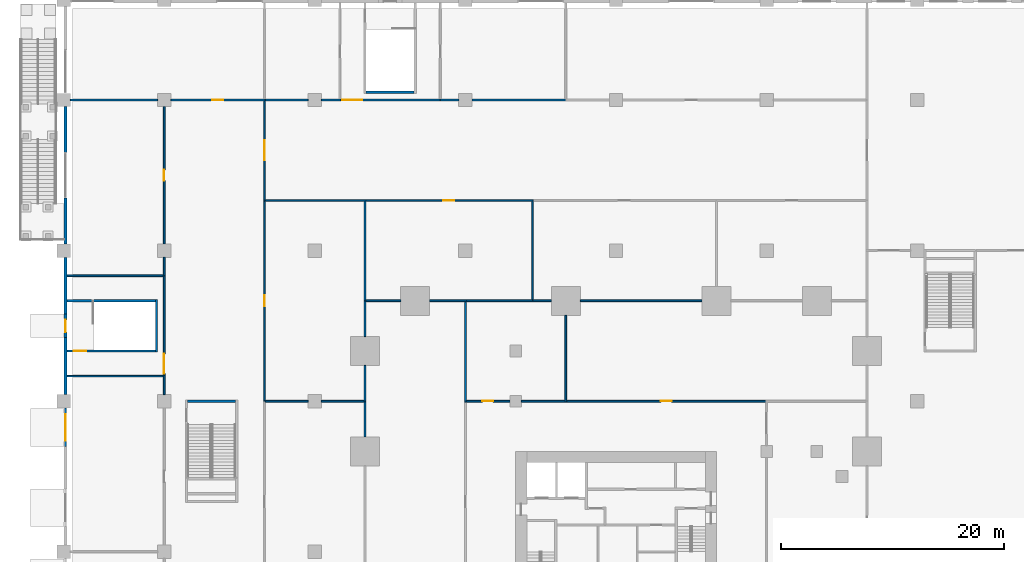
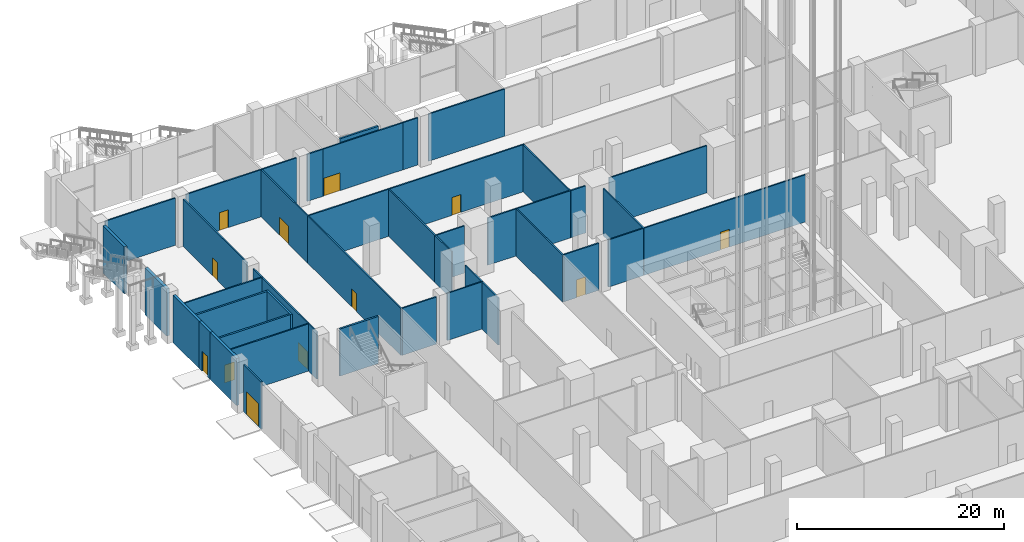
# One storey, part 30 of 68: 45 walls, 12 doors, 12 openings.
"""IFC4 building model written with IfcOpenShell, lengths in metres."""

from ifc_helpers import new_model, si_unit, direction, frame, frame_2d, origin, place, context, subcontext, project, spatial, rectangle, extrude, material, layer, layer_set, type_object, element, fill, save


model = new_model("IFC4")

# Units and contexts
model_context = context("Model", 3, precision=1e-05, world=origin(), true_north=direction((0.0, 1.0)))
body_context = subcontext(model_context, "Body", "Model", "MODEL_VIEW")
ifc_project = project(units=[si_unit("LENGTHUNIT", "METRE"), si_unit("AREAUNIT", "SQUARE_METRE"), si_unit("VOLUMEUNIT", "CUBIC_METRE"), si_unit("PLANEANGLEUNIT", "RADIAN"), si_unit("MASSUNIT", "GRAM", prefix="KILO")], contexts=[model_context])

# Site, building, storey
site_placement = place(None, origin())
site = spatial("IfcSite", under=ifc_project, at=site_placement, CompositionType="ELEMENT")
building_placement = place(site_placement, origin())
building = spatial("IfcBuilding", under=site, at=building_placement, Name="Altepetl Exchange Towers", CompositionType="ELEMENT")
storey_placement = place(building_placement, origin())
storey = spatial("IfcBuildingStorey", under=building, at=storey_placement, Name="L00 Ground concourse", CompositionType="ELEMENT", Elevation=0.0)

# Wall, opening, door
ifc_material_1 = material(Name="Aluminium composite cladding", Category="aluminium")
ifc_layer_1 = layer(ifc_material_1, 0.14990234375)
ifc_layer_set_1 = layer_set([ifc_layer_1], Name="Aluminium composite cladding")
wall_type_1 = type_object("IfcWallType", Name="Infill wall 150 aluminium panel", PredefinedType="SOLIDWALL", material=ifc_layer_set_1)
wall_1_placement = place(storey_placement, frame((0.14990234375, 62.39990234375, 0.0), z_axis=(0.0, 0.0, 1.0), x_axis=(0.0, -1.0, 0.0)))
wall_1 = element("IfcWall", 1, at=wall_1_placement, inside=storey, type_object=wall_type_1, Name="Door bay wall", PredefinedType="SOLIDWALL", context=body_context, shape_type="SweptSolid", body=[
    extrude(rectangle(XDim=3.449951171875, YDim=0.14990234375, at=frame_2d((1.72509765625, 0.0))), origin(), (0.0, 0.0, 1.0), 5.550048828125),
])
opening_1_placement = place(wall_1_placement, frame((0.550048828125, 0.0, 0.0)))
opening_1 = element("IfcOpeningElement", 2, at=opening_1_placement, cuts=wall_1, Name="Opening L00.E27", PredefinedType="OPENING", context=body_context, shape_type="SweptSolid", body=[
    extrude(rectangle(XDim=2.39990234375, YDim=2.699951171875, at=frame_2d((1.199951171875, 1.35009765625))), frame((0.0, 0.0849609375, 0.0), z_axis=(0.0, -1.0, 0.0), x_axis=(1.0, 0.0, 0.0)), (0.0, 0.0, 1.0), 0.169921875),
])
ifc_material_2 = material(Name="Aluminium 6063-T6 and glass", Category="aluminium")
door_type_1 = type_object("IfcDoorType", Name="Entrance door pair 2400x2700 pedestrian", OperationType="DOUBLE_DOOR_DOUBLE_SWING", PredefinedType="NOTDEFINED", material=ifc_material_2)
door_1_placement = place(opening_1_placement, frame((2.39990234375, 0.0, 0.0), x_axis=(-1.0, 0.0, 0.0)))
door_1 = element("IfcDoor", 3, at=door_1_placement, inside=storey, type_object=door_type_1, Name="Entrance door", OperationType="DOUBLE_DOOR_DOUBLE_SWING", OverallHeight=2.699951171875, OverallWidth=2.39990234375, PredefinedType="NOTDEFINED", context=body_context, shape_type="SweptSolid", body=[
    extrude(rectangle(XDim=2.39990234375, YDim=2.699951171875, at=frame_2d((1.199951171875, 1.35009765625))), frame((0.0, 0.02490234375, 0.0), z_axis=(0.0, -1.0, 0.0), x_axis=(1.0, 0.0, 0.0)), (0.0, 0.0, 1.0), 0.050048828125),
])
fill(opening_1, door_1)

ifc_material_3 = material(Name="Gypsum board on steel studs", Category="steel")
ifc_layer_2 = layer(ifc_material_3, 0.14990234375)
ifc_layer_set_2 = layer_set([ifc_layer_2], Name="Gypsum board on steel studs")
wall_type_2 = type_object("IfcWallType", Name="Podium partition 150", PredefinedType="PARTITIONING", material=ifc_layer_set_2)
wall_2_placement = place(storey_placement, frame((18.0, 80.925048828125, 0.0), z_axis=(0.0, 0.0, 1.0), x_axis=(0.0, 1.0, 0.0)))
wall_2 = element("IfcWall", 4, at=wall_2_placement, inside=storey, type_object=wall_type_2, Name="wall:P:L00:P067", PredefinedType="PARTITIONING", context=body_context, shape_type="SweptSolid", body=[
    extrude(rectangle(XDim=9.14990234375, YDim=0.14990234375, at=frame_2d((4.574951171875, 0.0))), origin(), (0.0, 0.0, 1.0), 5.550048828125),
])
opening_2_placement = place(wall_2_placement, frame((3.675048828125, 0.0, 0.0)))
opening_2 = element("IfcOpeningElement", 5, at=opening_2_placement, cuts=wall_2, Name="Opening L00.P078", PredefinedType="OPENING", context=body_context, shape_type="SweptSolid", body=[
    extrude(rectangle(XDim=1.800048828125, YDim=2.10009765625, at=frame_2d((0.89990234375, 1.050048828125))), frame((0.0, 0.0849609375, 0.0), z_axis=(0.0, -1.0, 0.0), x_axis=(1.0, 0.0, 0.0)), (0.0, 0.0, 1.0), 0.169921875),
])
ifc_material_4 = material(Name="Glazed aluminium and steel", Category="steel")
door_type_2 = type_object("IfcDoorType", Name="Podium fire door 1800 x 2100 double leaf", OperationType="DOUBLE_DOOR_SINGLE_SWING", PredefinedType="DOOR", material=ifc_material_4)
door_2_placement = place(opening_2_placement, frame((1.800048828125, 0.0, 0.0), x_axis=(-1.0, 0.0, 0.0)))
door_2 = element("IfcDoor", 6, at=door_2_placement, inside=storey, type_object=door_type_2, Name="door:P:L00:078", OperationType="DOUBLE_DOOR_SINGLE_SWING", OverallHeight=2.10009765625, OverallWidth=1.800048828125, PredefinedType="DOOR", context=body_context, shape_type="SweptSolid", body=[
    extrude(rectangle(XDim=1.800048828125, YDim=2.10009765625, at=frame_2d((0.89990234375, 1.050048828125))), frame((0.0, 0.02490234375, 0.0), z_axis=(0.0, -1.0, 0.0), x_axis=(1.0, 0.0, 0.0)), (0.0, 0.0, 1.0), 0.050048828125),
])
fill(opening_2, door_2)

# Wall
wall_3_placement = place(storey_placement, frame((9.0, 63.594970703125, 0.0), z_axis=(0.0, 0.0, 1.0), x_axis=(0.0, 1.0, 0.0)))
element("IfcWall", 7, at=wall_3_placement, inside=storey, type_object=wall_type_2, Name="wall:P:L00:P075", PredefinedType="PARTITIONING", context=body_context, shape_type="SweptSolid", body=[
    extrude(rectangle(XDim=1.72998046875, YDim=0.14990234375, at=frame_2d((0.864990234375, 0.0))), origin(), (0.0, 0.0, 1.0), 5.550048828125),
])

# Wall, opening, door
wall_4_placement = place(storey_placement, frame((9.0, 65.25, 0.0), z_axis=(0.0, 0.0, 1.0), x_axis=(0.0, 1.0, 0.0)))
wall_4 = element("IfcWall", 8, at=wall_4_placement, inside=storey, type_object=wall_type_2, Name="wall:P:L00:P076", PredefinedType="PARTITIONING", context=body_context, shape_type="SweptSolid", body=[
    extrude(rectangle(XDim=9.074951171875, YDim=0.14990234375, at=frame_2d((4.53759765625, 0.0))), origin(), (0.0, 0.0, 1.0), 5.550048828125),
])
opening_3_placement = place(wall_4_placement, frame((0.199951171875, 0.0, 0.0)))
opening_3 = element("IfcOpeningElement", 9, at=opening_3_placement, cuts=wall_4, Name="Opening L00.P081", PredefinedType="OPENING", context=body_context, shape_type="SweptSolid", body=[
    extrude(rectangle(XDim=1.800048828125, YDim=2.10009765625, at=frame_2d((0.89990234375, 1.050048828125))), frame((0.0, 0.0849609375, 0.0), z_axis=(0.0, -1.0, 0.0), x_axis=(1.0, 0.0, 0.0)), (0.0, 0.0, 1.0), 0.169921875),
])
door_3_placement = place(opening_3_placement, origin())
door_3 = element("IfcDoor", 10, at=door_3_placement, inside=storey, type_object=door_type_2, Name="door:P:L00:081", OperationType="DOUBLE_DOOR_SINGLE_SWING", OverallHeight=2.10009765625, OverallWidth=1.800048828125, PredefinedType="DOOR", context=body_context, shape_type="SweptSolid", body=[
    extrude(rectangle(XDim=1.800048828125, YDim=2.10009765625, at=frame_2d((0.89990234375, 1.050048828125))), frame((0.0, 0.02490234375, 0.0), z_axis=(0.0, -1.0, 0.0), x_axis=(1.0, 0.0, 0.0)), (0.0, 0.0, 1.0), 0.050048828125),
])
fill(opening_3, door_3)

# Wall
wall_5_placement = place(storey_placement, frame((9.0, 74.25, 0.0), z_axis=(0.0, 0.0, 1.0), x_axis=(0.0, 1.0, 0.0)))
element("IfcWall", 11, at=wall_5_placement, inside=storey, type_object=wall_type_2, Name="wall:P:L00:P077", PredefinedType="PARTITIONING", context=body_context, shape_type="SweptSolid", body=[
    extrude(rectangle(XDim=1.655029296875, YDim=0.14990234375, at=frame_2d((0.82763671875, 0.0))), origin(), (0.0, 0.0, 1.0), 5.550048828125),
])

# Wall, opening, door
wall_6_placement = place(storey_placement, frame((9.0, 77.094970703125, 0.0), z_axis=(0.0, 0.0, 1.0), x_axis=(0.0, 1.0, 0.0)))
wall_6 = element("IfcWall", 12, at=wall_6_placement, inside=storey, type_object=wall_type_2, Name="wall:P:L00:P078", PredefinedType="PARTITIONING", context=body_context, shape_type="SweptSolid", body=[
    extrude(rectangle(XDim=12.31005859375, YDim=0.14990234375, at=frame_2d((6.155029296875, 0.0))), origin(), (0.0, 0.0, 1.0), 5.550048828125),
])
opening_4_placement = place(wall_6_placement, frame((5.64990234375, 0.0, 0.0)))
opening_4 = element("IfcOpeningElement", 13, at=opening_4_placement, cuts=wall_6, Name="Opening L00.P009", PredefinedType="OPENING", context=body_context, shape_type="SweptSolid", body=[
    extrude(rectangle(XDim=1.0, YDim=2.10009765625, at=frame_2d((0.5, 1.050048828125))), frame((0.0, 0.0849609375, 0.0), z_axis=(0.0, -1.0, 0.0), x_axis=(1.0, 0.0, 0.0)), (0.0, 0.0, 1.0), 0.169921875),
])
ifc_material_5 = material(Name="Steel and timber fire door", Category="steel")
door_type_3 = type_object("IfcDoorType", Name="Podium fire door 1000 x 2100 single leaf", OperationType="SINGLE_SWING_LEFT", PredefinedType="DOOR", material=ifc_material_5)
door_4_placement = place(opening_4_placement, origin())
door_4 = element("IfcDoor", 14, at=door_4_placement, inside=storey, type_object=door_type_3, Name="door:P:L00:009", OperationType="SINGLE_SWING_RIGHT", OverallHeight=2.10009765625, OverallWidth=1.0, PredefinedType="DOOR", context=body_context, shape_type="SweptSolid", body=[
    extrude(rectangle(XDim=1.0, YDim=2.10009765625, at=frame_2d((0.5, 1.050048828125))), frame((0.0, 0.02490234375, 0.0), z_axis=(0.0, -1.0, 0.0), x_axis=(1.0, 0.0, 0.0)), (0.0, 0.0, 1.0), 0.050048828125),
])
fill(opening_4, door_4)

wall_7_placement = place(storey_placement, frame((9.594970703125, 90.0, 0.0)))
wall_7 = element("IfcWall", 15, at=wall_7_placement, inside=storey, type_object=wall_type_2, Name="wall:P:L00:P079", PredefinedType="PARTITIONING", context=body_context, shape_type="SweptSolid", body=[
    extrude(rectangle(XDim=8.47998046875, YDim=0.14990234375, at=frame_2d((4.239990234375, 0.0))), origin(), (0.0, 0.0, 1.0), 5.550048828125),
])
opening_5_placement = place(wall_7_placement, frame((3.699951171875, 0.0, 0.0)))
opening_5 = element("IfcOpeningElement", 16, at=opening_5_placement, cuts=wall_7, Name="Opening L00.P010", PredefinedType="OPENING", context=body_context, shape_type="SweptSolid", body=[
    extrude(rectangle(XDim=1.0, YDim=2.10009765625, at=frame_2d((0.5, 1.050048828125))), frame((0.0, 0.0849609375, 0.0), z_axis=(0.0, -1.0, 0.0), x_axis=(1.0, 0.0, 0.0)), (0.0, 0.0, 1.0), 0.169921875),
])
door_5_placement = place(opening_5_placement, origin())
door_5 = element("IfcDoor", 17, at=door_5_placement, inside=storey, type_object=door_type_3, Name="door:P:L00:010", OperationType="SINGLE_SWING_RIGHT", OverallHeight=2.10009765625, OverallWidth=1.0, PredefinedType="DOOR", context=body_context, shape_type="SweptSolid", body=[
    extrude(rectangle(XDim=1.0, YDim=2.10009765625, at=frame_2d((0.5, 1.050048828125))), frame((0.0, 0.02490234375, 0.0), z_axis=(0.0, -1.0, 0.0), x_axis=(1.0, 0.0, 0.0)), (0.0, 0.0, 1.0), 0.050048828125),
])
fill(opening_5, door_5)

wall_8_placement = place(storey_placement, frame((18.0, 63.0, 0.0), z_axis=(0.0, 0.0, 1.0), x_axis=(0.0, 1.0, 0.0)))
wall_8 = element("IfcWall", 18, at=wall_8_placement, inside=storey, type_object=wall_type_2, Name="wall:P:L00:P083", PredefinedType="PARTITIONING", context=body_context, shape_type="SweptSolid", body=[
    extrude(rectangle(XDim=18.0, YDim=0.14990234375, at=frame_2d((9.0, 0.0))), origin(), (0.0, 0.0, 1.0), 5.550048828125),
])
opening_6_placement = place(wall_8_placement, frame((8.5, 0.0, 0.0)))
opening_6 = element("IfcOpeningElement", 19, at=opening_6_placement, cuts=wall_8, Name="Opening L00.P016", PredefinedType="OPENING", context=body_context, shape_type="SweptSolid", body=[
    extrude(rectangle(XDim=1.0, YDim=2.10009765625, at=frame_2d((0.5, 1.050048828125))), frame((0.0, 0.0849609375, 0.0), z_axis=(0.0, -1.0, 0.0), x_axis=(1.0, 0.0, 0.0)), (0.0, 0.0, 1.0), 0.169921875),
])
door_6_placement = place(opening_6_placement, frame((1.0, 0.0, 0.0), x_axis=(-1.0, 0.0, 0.0)))
door_6 = element("IfcDoor", 20, at=door_6_placement, inside=storey, type_object=door_type_3, Name="door:P:L00:016", OperationType="SINGLE_SWING_LEFT", OverallHeight=2.10009765625, OverallWidth=1.0, PredefinedType="DOOR", context=body_context, shape_type="SweptSolid", body=[
    extrude(rectangle(XDim=1.0, YDim=2.10009765625, at=frame_2d((0.5, 1.050048828125))), frame((0.0, 0.02490234375, 0.0), z_axis=(0.0, -1.0, 0.0), x_axis=(1.0, 0.0, 0.0)), (0.0, 0.0, 1.0), 0.050048828125),
])
fill(opening_6, door_6)

# Walls
wall_9_placement = place(storey_placement, frame((18.074951171875, 90.0, 0.0)))
element("IfcWall", 21, at=wall_9_placement, inside=storey, type_object=wall_type_2, Name="wall:P:L00:P088", PredefinedType="PARTITIONING", context=body_context, shape_type="SweptSolid", body=[
    extrude(rectangle(XDim=3.830078125, YDim=0.14990234375, at=frame_2d((1.9150390625, 0.0))), origin(), (0.0, 0.0, 1.0), 5.550048828125),
])
wall_10_placement = place(storey_placement, frame((23.094970703125, 90.0, 0.0)))
element("IfcWall", 22, at=wall_10_placement, inside=storey, type_object=wall_type_2, Name="wall:P:L00:P089", PredefinedType="PARTITIONING", context=body_context, shape_type="SweptSolid", body=[
    extrude(rectangle(XDim=1.72998046875, YDim=0.14990234375, at=frame_2d((0.864990234375, 0.0))), origin(), (0.0, 0.0, 1.0), 5.550048828125),
])

# Wall, opening, door
wall_11_placement = place(storey_placement, frame((24.75, 90.0, 0.0)))
wall_11 = element("IfcWall", 23, at=wall_11_placement, inside=storey, type_object=wall_type_2, Name="wall:P:L00:P090", PredefinedType="PARTITIONING", context=body_context, shape_type="SweptSolid", body=[
    extrude(rectangle(XDim=9.074951171875, YDim=0.14990234375, at=frame_2d((4.53759765625, 0.0))), origin(), (0.0, 0.0, 1.0), 5.550048828125),
])
opening_7_placement = place(wall_11_placement, frame((0.199951171875, 0.0, 0.0)))
opening_7 = element("IfcOpeningElement", 24, at=opening_7_placement, cuts=wall_11, Name="Opening L00.P083", PredefinedType="OPENING", context=body_context, shape_type="SweptSolid", body=[
    extrude(rectangle(XDim=1.800048828125, YDim=2.10009765625, at=frame_2d((0.89990234375, 1.050048828125))), frame((0.0, 0.0849609375, 0.0), z_axis=(0.0, -1.0, 0.0), x_axis=(1.0, 0.0, 0.0)), (0.0, 0.0, 1.0), 0.169921875),
])
door_7_placement = place(opening_7_placement, origin())
door_7 = element("IfcDoor", 25, at=door_7_placement, inside=storey, type_object=door_type_2, Name="door:P:L00:083", OperationType="DOUBLE_DOOR_SINGLE_SWING", OverallHeight=2.10009765625, OverallWidth=1.800048828125, PredefinedType="DOOR", context=body_context, shape_type="SweptSolid", body=[
    extrude(rectangle(XDim=1.800048828125, YDim=2.10009765625, at=frame_2d((0.89990234375, 1.050048828125))), frame((0.0, 0.02490234375, 0.0), z_axis=(0.0, -1.0, 0.0), x_axis=(1.0, 0.0, 0.0)), (0.0, 0.0, 1.0), 0.050048828125),
])
fill(opening_7, door_7)

# Walls
wall_12_placement = place(storey_placement, frame((33.75, 90.0, 0.0)))
element("IfcWall", 26, at=wall_12_placement, inside=storey, type_object=wall_type_2, Name="wall:P:L00:P091", PredefinedType="PARTITIONING", context=body_context, shape_type="SweptSolid", body=[
    extrude(rectangle(XDim=1.655029296875, YDim=0.14990234375, at=frame_2d((0.82763671875, 0.0))), origin(), (0.0, 0.0, 1.0), 5.550048828125),
])
wall_13_placement = place(storey_placement, frame((36.594970703125, 90.0, 0.0)))
element("IfcWall", 27, at=wall_13_placement, inside=storey, type_object=wall_type_2, Name="wall:P:L00:P092", PredefinedType="PARTITIONING", context=body_context, shape_type="SweptSolid", body=[
    extrude(rectangle(XDim=8.47998046875, YDim=0.14990234375, at=frame_2d((4.239990234375, 0.0))), origin(), (0.0, 0.0, 1.0), 5.550048828125),
])
wall_14_placement = place(storey_placement, frame((18.074951171875, 81.0, 0.0)))
element("IfcWall", 28, at=wall_14_placement, inside=storey, type_object=wall_type_2, Name="wall:P:L00:P096", PredefinedType="PARTITIONING", context=body_context, shape_type="SweptSolid", body=[
    extrude(rectangle(XDim=9.0, YDim=0.14990234375, at=frame_2d((4.5, 0.0))), origin(), (0.0, 0.0, 1.0), 5.550048828125),
])

# Wall, opening, door
wall_15_placement = place(storey_placement, frame((27.0, 81.0, 0.0)))
wall_15 = element("IfcWall", 29, at=wall_15_placement, inside=storey, type_object=wall_type_2, Name="wall:P:L00:P097", PredefinedType="PARTITIONING", context=body_context, shape_type="SweptSolid", body=[
    extrude(rectangle(XDim=15.074951171875, YDim=0.14990234375, at=frame_2d((7.53759765625, 0.0))), origin(), (0.0, 0.0, 1.0), 5.550048828125),
])
opening_8_placement = place(wall_15_placement, frame((7.0, 0.0, 0.0)))
opening_8 = element("IfcOpeningElement", 30, at=opening_8_placement, cuts=wall_15, Name="Opening L00.P021", PredefinedType="OPENING", context=body_context, shape_type="SweptSolid", body=[
    extrude(rectangle(XDim=1.0, YDim=2.10009765625, at=frame_2d((0.5, 1.050048828125))), frame((0.0, 0.0849609375, 0.0), z_axis=(0.0, -1.0, 0.0), x_axis=(1.0, 0.0, 0.0)), (0.0, 0.0, 1.0), 0.169921875),
])
door_8_placement = place(opening_8_placement, frame((1.0, 0.0, 0.0), x_axis=(-1.0, 0.0, 0.0)))
door_8 = element("IfcDoor", 31, at=door_8_placement, inside=storey, type_object=door_type_3, Name="door:P:L00:021", OperationType="SINGLE_SWING_LEFT", OverallHeight=2.10009765625, OverallWidth=1.0, PredefinedType="DOOR", context=body_context, shape_type="SweptSolid", body=[
    extrude(rectangle(XDim=1.0, YDim=2.10009765625, at=frame_2d((0.5, 1.050048828125))), frame((0.0, 0.02490234375, 0.0), z_axis=(0.0, -1.0, 0.0), x_axis=(1.0, 0.0, 0.0)), (0.0, 0.0, 1.0), 0.050048828125),
])
fill(opening_8, door_8)

# Walls
for number, where, name in (
    (32, (0.300048828125, 65.25, 0.0), "wall:P:L00:P107"),
    (33, (0.300048828125, 74.25, 0.0), "wall:P:L00:P108"),
):
    element("IfcWall", number, at=place(storey_placement, frame(where)), inside=storey, type_object=wall_type_2, Name=name, PredefinedType="PARTITIONING", context=body_context, shape_type="SweptSolid", body=[
        extrude(rectangle(XDim=8.625, YDim=0.14990234375, at=frame_2d((4.3125, 0.0))), origin(), (0.0, 0.0, 1.0), 5.550048828125),
    ])
wall_16_placement = place(storey_placement, frame((0.594970703125, 90.0, 0.0)))
element("IfcWall", 34, at=wall_16_placement, inside=storey, type_object=wall_type_2, Name="wall:P:L00:P112", PredefinedType="PARTITIONING", context=body_context, shape_type="SweptSolid", body=[
    extrude(rectangle(XDim=7.81005859375, YDim=0.14990234375, at=frame_2d((3.905029296875, 0.0))), origin(), (0.0, 0.0, 1.0), 5.550048828125),
])
wall_17_placement = place(storey_placement, frame((18.074951171875, 63.0, 0.0)))
element("IfcWall", 35, at=wall_17_placement, inside=storey, type_object=wall_type_2, Name="wall:P:L00:P129", PredefinedType="PARTITIONING", context=body_context, shape_type="SweptSolid", body=[
    extrude(rectangle(XDim=3.830078125, YDim=0.14990234375, at=frame_2d((1.9150390625, 0.0))), origin(), (0.0, 0.0, 1.0), 5.550048828125),
])
wall_18_placement = place(storey_placement, frame((23.094970703125, 63.0, 0.0)))
element("IfcWall", 36, at=wall_18_placement, inside=storey, type_object=wall_type_2, Name="wall:P:L00:P130", PredefinedType="PARTITIONING", context=body_context, shape_type="SweptSolid", body=[
    extrude(rectangle(XDim=3.97998046875, YDim=0.14990234375, at=frame_2d((1.989990234375, 0.0))), origin(), (0.0, 0.0, 1.0), 5.550048828125),
])
wall_19_placement = place(storey_placement, frame((27.0, 59.794921875, 0.0), z_axis=(0.0, 0.0, 1.0), x_axis=(0.0, 1.0, 0.0)))
element("IfcWall", 37, at=wall_19_placement, inside=storey, type_object=wall_type_2, Name="wall:P:L00:P132", PredefinedType="PARTITIONING", context=body_context, shape_type="SweptSolid", body=[
    extrude(rectangle(XDim=3.130126953125, YDim=0.14990234375, at=frame_2d((1.56494140625, 0.0))), origin(), (0.0, 0.0, 1.0), 5.550048828125),
])
wall_20_placement = place(storey_placement, frame((27.0, 71.925048828125, 0.0), z_axis=(0.0, 0.0, 1.0), x_axis=(0.0, 1.0, 0.0)))
element("IfcWall", 38, at=wall_20_placement, inside=storey, type_object=wall_type_2, Name="wall:P:L00:P133", PredefinedType="PARTITIONING", context=body_context, shape_type="SweptSolid", body=[
    extrude(rectangle(XDim=9.0, YDim=0.14990234375, at=frame_2d((4.5, 0.0))), origin(), (0.0, 0.0, 1.0), 5.550048828125),
])
for number, where, z_axis, x_axis, name in (
    (39, (27.0, 63.0, 0.0), (0.0, 0.0, 1.0), (0.0, 1.0, 0.0), "wall:P:L00:P134"),
    (40, (27.0, 68.794921875, 0.0), (0.0, 0.0, 1.0), (0.0, 1.0, 0.0), "wall:P:L00:P135"),
):
    element("IfcWall", number, at=place(storey_placement, frame(where, z_axis=z_axis, x_axis=x_axis)), inside=storey, type_object=wall_type_2, Name=name, PredefinedType="PARTITIONING", context=body_context, shape_type="SweptSolid", body=[
        extrude(rectangle(XDim=3.205078125, YDim=0.14990234375, at=frame_2d((1.6025390625, 0.0))), origin(), (0.0, 0.0, 1.0), 5.550048828125),
    ])
wall_21_placement = place(storey_placement, frame((42.0, 71.925048828125, 0.0), z_axis=(0.0, 0.0, 1.0), x_axis=(0.0, 1.0, 0.0)))
element("IfcWall", 41, at=wall_21_placement, inside=storey, type_object=wall_type_2, Name="wall:P:L00:P154", PredefinedType="PARTITIONING", context=body_context, shape_type="SweptSolid", body=[
    extrude(rectangle(XDim=9.0, YDim=0.14990234375, at=frame_2d((4.5, 0.0))), origin(), (0.0, 0.0, 1.0), 5.550048828125),
])
wall_22_placement = place(storey_placement, frame((27.074951171875, 72.0, 0.0)))
element("IfcWall", 42, at=wall_22_placement, inside=storey, type_object=wall_type_2, Name="wall:P:L00:P155", PredefinedType="PARTITIONING", context=body_context, shape_type="SweptSolid", body=[
    extrude(rectangle(XDim=3.130126953125, YDim=0.14990234375, at=frame_2d((1.56494140625, 0.0))), origin(), (0.0, 0.0, 1.0), 5.550048828125),
])
wall_23_placement = place(storey_placement, frame((32.794921875, 72.0, 0.0)))
element("IfcWall", 43, at=wall_23_placement, inside=storey, type_object=wall_type_2, Name="wall:P:L00:P156", PredefinedType="PARTITIONING", context=body_context, shape_type="SweptSolid", body=[
    extrude(rectangle(XDim=3.280029296875, YDim=0.14990234375, at=frame_2d((1.64013671875, 0.0))), origin(), (0.0, 0.0, 1.0), 5.550048828125),
])
wall_24_placement = place(storey_placement, frame((36.0, 72.0, 0.0)))
element("IfcWall", 44, at=wall_24_placement, inside=storey, type_object=wall_type_2, Name="wall:P:L00:P157", PredefinedType="PARTITIONING", context=body_context, shape_type="SweptSolid", body=[
    extrude(rectangle(XDim=6.0, YDim=0.14990234375, at=frame_2d((3.0, 0.0))), origin(), (0.0, 0.0, 1.0), 5.550048828125),
])
wall_25_placement = place(storey_placement, frame((42.074951171875, 72.0, 0.0)))
element("IfcWall", 45, at=wall_25_placement, inside=storey, type_object=wall_type_2, Name="wall:P:L00:P159", PredefinedType="PARTITIONING", context=body_context, shape_type="SweptSolid", body=[
    extrude(rectangle(XDim=1.630126953125, YDim=0.14990234375, at=frame_2d((0.81494140625, 0.0))), origin(), (0.0, 0.0, 1.0), 5.550048828125),
])
wall_26_placement = place(storey_placement, frame((46.294921875, 72.0, 0.0)))
element("IfcWall", 46, at=wall_26_placement, inside=storey, type_object=wall_type_2, Name="wall:P:L00:P160", PredefinedType="PARTITIONING", context=body_context, shape_type="SweptSolid", body=[
    extrude(rectangle(XDim=10.91015625, YDim=0.14990234375, at=frame_2d((5.455078125, 0.0))), origin(), (0.0, 0.0, 1.0), 5.550048828125),
])
wall_27_placement = place(storey_placement, frame((36.0, 62.925048828125, 0.0), z_axis=(0.0, 0.0, 1.0), x_axis=(0.0, 1.0, 0.0)))
element("IfcWall", 47, at=wall_27_placement, inside=storey, type_object=wall_type_2, Name="wall:P:L00:P165", PredefinedType="PARTITIONING", context=body_context, shape_type="SweptSolid", body=[
    extrude(rectangle(XDim=9.0, YDim=0.14990234375, at=frame_2d((4.5, 0.0))), origin(), (0.0, 0.0, 1.0), 5.550048828125),
])
wall_28_placement = place(storey_placement, frame((45.0, 62.925048828125, 0.0), z_axis=(0.0, 0.0, 1.0), x_axis=(0.0, 1.0, 0.0)))
element("IfcWall", 48, at=wall_28_placement, inside=storey, type_object=wall_type_2, Name="wall:P:L00:P172", PredefinedType="PARTITIONING", context=body_context, shape_type="SweptSolid", body=[
    extrude(rectangle(XDim=7.780029296875, YDim=0.14990234375, at=frame_2d((3.89013671875, 0.0))), origin(), (0.0, 0.0, 1.0), 5.550048828125),
])

# Wall, opening, door
wall_29_placement = place(storey_placement, frame((36.074951171875, 63.0, 0.0)))
wall_29 = element("IfcWall", 49, at=wall_29_placement, inside=storey, type_object=wall_type_2, Name="wall:P:L00:P173", PredefinedType="PARTITIONING", context=body_context, shape_type="SweptSolid", body=[
    extrude(rectangle(XDim=3.905029296875, YDim=0.14990234375, at=frame_2d((1.95263671875, 0.0))), origin(), (0.0, 0.0, 1.0), 5.550048828125),
])
opening_9_placement = place(wall_29_placement, frame((1.425048828125, 0.0, 0.0)))
opening_9 = element("IfcOpeningElement", 50, at=opening_9_placement, cuts=wall_29, Name="Opening L00.P028", PredefinedType="OPENING", context=body_context, shape_type="SweptSolid", body=[
    extrude(rectangle(XDim=1.0, YDim=2.10009765625, at=frame_2d((0.5, 1.050048828125))), frame((0.0, 0.0849609375, 0.0), z_axis=(0.0, -1.0, 0.0), x_axis=(1.0, 0.0, 0.0)), (0.0, 0.0, 1.0), 0.169921875),
])
door_9_placement = place(opening_9_placement, origin())
door_9 = element("IfcDoor", 51, at=door_9_placement, inside=storey, type_object=door_type_3, Name="door:P:L00:028", OperationType="SINGLE_SWING_RIGHT", OverallHeight=2.10009765625, OverallWidth=1.0, PredefinedType="DOOR", context=body_context, shape_type="SweptSolid", body=[
    extrude(rectangle(XDim=1.0, YDim=2.10009765625, at=frame_2d((0.5, 1.050048828125))), frame((0.0, 0.02490234375, 0.0), z_axis=(0.0, -1.0, 0.0), x_axis=(1.0, 0.0, 0.0)), (0.0, 0.0, 1.0), 0.050048828125),
])
fill(opening_9, door_9)

# Wall
wall_30_placement = place(storey_placement, frame((41.02001953125, 63.0, 0.0)))
element("IfcWall", 52, at=wall_30_placement, inside=storey, type_object=wall_type_2, Name="wall:P:L00:P174", PredefinedType="PARTITIONING", context=body_context, shape_type="SweptSolid", body=[
    extrude(rectangle(XDim=3.905029296875, YDim=0.14990234375, at=frame_2d((1.95263671875, 0.0))), origin(), (0.0, 0.0, 1.0), 5.550048828125),
])

# Wall, opening, door
wall_31_placement = place(storey_placement, frame((45.0, 63.0, 0.0)))
wall_31 = element("IfcWall", 53, at=wall_31_placement, inside=storey, type_object=wall_type_2, Name="wall:P:L00:P176", PredefinedType="PARTITIONING", context=body_context, shape_type="SweptSolid", body=[
    extrude(rectangle(XDim=18.0, YDim=0.14990234375, at=frame_2d((9.0, 0.0))), origin(), (0.0, 0.0, 1.0), 5.550048828125),
])
opening_10_placement = place(wall_31_placement, frame((8.5, 0.0, 0.0)))
opening_10 = element("IfcOpeningElement", 54, at=opening_10_placement, cuts=wall_31, Name="Opening L00.P029", PredefinedType="OPENING", context=body_context, shape_type="SweptSolid", body=[
    extrude(rectangle(XDim=1.0, YDim=2.10009765625, at=frame_2d((0.5, 1.050048828125))), frame((0.0, 0.0849609375, 0.0), z_axis=(0.0, -1.0, 0.0), x_axis=(1.0, 0.0, 0.0)), (0.0, 0.0, 1.0), 0.169921875),
])
door_10_placement = place(opening_10_placement, origin())
door_10 = element("IfcDoor", 55, at=door_10_placement, inside=storey, type_object=door_type_3, Name="door:P:L00:029", OperationType="SINGLE_SWING_RIGHT", OverallHeight=2.10009765625, OverallWidth=1.0, PredefinedType="DOOR", context=body_context, shape_type="SweptSolid", body=[
    extrude(rectangle(XDim=1.0, YDim=2.10009765625, at=frame_2d((0.5, 1.050048828125))), frame((0.0, 0.02490234375, 0.0), z_axis=(0.0, -1.0, 0.0), x_axis=(1.0, 0.0, 0.0)), (0.0, 0.0, 1.0), 0.050048828125),
])
fill(opening_10, door_10)

# Walls
ifc_material_6 = material(Name="Reinforced concrete C35/45", Category="concrete")
ifc_layer_3 = layer(ifc_material_6, 0.199951171875)
ifc_layer_set_3 = layer_set([ifc_layer_3], Name="Reinforced concrete C35/45")
wall_type_3 = type_object("IfcWallType", Name="Stair enclosure wall 200", PredefinedType="SOLIDWALL", material=ifc_layer_set_3)
wall_32_placement = place(storey_placement, frame((11.10009765625, 63.0, 0.0)))
element("IfcWall", 56, at=wall_32_placement, inside=storey, type_object=wall_type_3, Name="wall:P:L00:P087", PredefinedType="SOLIDWALL", context=body_context, shape_type="SweptSolid", body=[
    extrude(rectangle(XDim=4.2998046875, YDim=0.199951171875, at=frame_2d((2.14990234375, 0.0))), origin(), (0.0, 0.0, 1.0), 5.550048828125),
])
wall_33_placement = place(storey_placement, frame((8.300048828125, 67.39990234375, 0.0), z_axis=(0.0, 0.0, 1.0), x_axis=(0.0, 1.0, 0.0)))
element("IfcWall", 57, at=wall_33_placement, inside=storey, type_object=wall_type_3, Name="wall:P:L00:P109", PredefinedType="SOLIDWALL", context=body_context, shape_type="SweptSolid", body=[
    extrude(rectangle(XDim=4.7001953125, YDim=0.199951171875, at=frame_2d((2.35009765625, 0.0))), origin(), (0.0, 0.0, 1.0), 5.550048828125),
])

# Wall, opening, door
wall_34_placement = place(storey_placement, frame((0.300048828125, 67.5, 0.0)))
wall_34 = element("IfcWall", 58, at=wall_34_placement, inside=storey, type_object=wall_type_3, Name="wall:P:L00:P110", PredefinedType="SOLIDWALL", context=body_context, shape_type="SweptSolid", body=[
    extrude(rectangle(XDim=7.89990234375, YDim=0.199951171875, at=frame_2d((3.949951171875, 0.0))), origin(), (0.0, 0.0, 1.0), 5.550048828125),
])
opening_11_placement = place(wall_34_placement, frame((0.60009765625, 0.0, 0.0)))
opening_11 = element("IfcOpeningElement", 59, at=opening_11_placement, cuts=wall_34, Name="Opening L00.P056", PredefinedType="OPENING", context=body_context, shape_type="SweptSolid", body=[
    extrude(rectangle(XDim=1.10009765625, YDim=2.10009765625, at=frame_2d((0.550048828125, 1.050048828125))), frame((0.0, 0.10986328125, 0.0), z_axis=(0.0, -1.0, 0.0), x_axis=(1.0, 0.0, 0.0)), (0.0, 0.0, 1.0), 0.219970703125),
])
ifc_material_7 = material(Name="Steel fire door", Category="steel")
door_type_4 = type_object("IfcDoorType", Name="Podium fire door 1100 x 2100 single leaf", OperationType="SINGLE_SWING_LEFT", PredefinedType="DOOR", material=ifc_material_7)
door_11_placement = place(opening_11_placement, frame((1.10009765625, 0.0, 0.0), x_axis=(-1.0, 0.0, 0.0)))
door_11 = element("IfcDoor", 60, at=door_11_placement, inside=storey, type_object=door_type_4, Name="door:P:L00:056", OperationType="SINGLE_SWING_LEFT", OverallHeight=2.10009765625, OverallWidth=1.10009765625, PredefinedType="DOOR", context=body_context, shape_type="SweptSolid", body=[
    extrude(rectangle(XDim=1.10009765625, YDim=2.10009765625, at=frame_2d((0.550048828125, 1.050048828125))), frame((0.0, 0.02490234375, 0.0), z_axis=(0.0, -1.0, 0.0), x_axis=(1.0, 0.0, 0.0)), (0.0, 0.0, 1.0), 0.050048828125),
])
fill(opening_11, door_11)

# Walls
wall_35_placement = place(storey_placement, frame((0.300048828125, 72.0, 0.0)))
element("IfcWall", 61, at=wall_35_placement, inside=storey, type_object=wall_type_3, Name="wall:P:L00:P111", PredefinedType="SOLIDWALL", context=body_context, shape_type="SweptSolid", body=[
    extrude(rectangle(XDim=7.89990234375, YDim=0.199951171875, at=frame_2d((3.949951171875, 0.0))), origin(), (0.0, 0.0, 1.0), 5.550048828125),
])
wall_36_placement = place(storey_placement, frame((27.10009765625, 90.699951171875, 0.0)))
element("IfcWall", 62, at=wall_36_placement, inside=storey, type_object=wall_type_3, Name="wall:P:L00:P118", PredefinedType="SOLIDWALL", context=body_context, shape_type="SweptSolid", body=[
    extrude(rectangle(XDim=4.2998046875, YDim=0.199951171875, at=frame_2d((2.14990234375, 0.0))), origin(), (0.0, 0.0, 1.0), 5.550048828125),
])
ifc_material_8 = material(Name="Cantera limestone cladding", Category="masonry")
ifc_layer_4 = layer(ifc_material_8, 0.300048828125)
ifc_layer_set_4 = layer_set([ifc_layer_4], Name="Cantera limestone cladding")
wall_type_4 = type_object("IfcWallType", Name="Stone wall panel 300", PredefinedType="ELEMENTEDWALL", material=ifc_layer_set_4)
for number, where, z_axis, x_axis, name in (
    (63, (0.14990234375, 89.39990234375, 0.0), (0.0, 0.0, 1.0), (0.0, -1.0, 0.0), "Stone wall panel"),
    (64, (0.14990234375, 81.216552734375, 0.0), (0.0, 0.0, 1.0), (0.0, -1.0, 0.0), "Stone wall panel"),
):
    element("IfcWall", number, at=place(storey_placement, frame(where, z_axis=z_axis, x_axis=x_axis)), inside=storey, type_object=wall_type_4, Name=name, PredefinedType="ELEMENTEDWALL", context=body_context, shape_type="SweptSolid", body=[
        extrude(rectangle(XDim=4.116455078125, YDim=0.300048828125, at=frame_2d((2.05810546875, 0.0))), origin(), (0.0, 0.0, 1.0), 5.550048828125),
    ])
wall_37_placement = place(storey_placement, frame((0.14990234375, 75.89990234375, 0.0), z_axis=(0.0, 0.0, 1.0), x_axis=(0.0, -1.0, 0.0)))
element("IfcWall", 65, at=wall_37_placement, inside=storey, type_object=wall_type_4, Name="Stone wall panel", PredefinedType="ELEMENTEDWALL", context=body_context, shape_type="SweptSolid", body=[
    extrude(rectangle(XDim=5.099853515625, YDim=0.300048828125, at=frame_2d((2.5498046875, 0.0))), origin(), (0.0, 0.0, 1.0), 5.550048828125),
])

# Wall, opening, door
wall_38_placement = place(storey_placement, frame((0.14990234375, 70.800048828125, 0.0), z_axis=(0.0, 0.0, 1.0), x_axis=(0.0, -1.0, 0.0)))
wall_38 = element("IfcWall", 66, at=wall_38_placement, inside=storey, type_object=wall_type_4, Name="Stone wall panel", PredefinedType="ELEMENTEDWALL", context=body_context, shape_type="SweptSolid", body=[
    extrude(rectangle(XDim=2.10009765625, YDim=0.300048828125, at=frame_2d((1.050048828125, 0.0))), origin(), (0.0, 0.0, 1.0), 5.550048828125),
])
opening_12_placement = place(wall_38_placement, frame((0.5, 0.0, 0.0)))
opening_12 = element("IfcOpeningElement", 67, at=opening_12_placement, cuts=wall_38, Name="Opening L00.E64", PredefinedType="OPENING", context=body_context, shape_type="SweptSolid", body=[
    extrude(rectangle(XDim=1.10009765625, YDim=2.39990234375, at=frame_2d((0.550048828125, 1.199951171875))), frame((0.0, 0.16015625, 0.0), z_axis=(0.0, -1.0, 0.0), x_axis=(1.0, 0.0, 0.0)), (0.0, 0.0, 1.0), 0.320068359375),
])
ifc_material_9 = material(Name="Steel S275", Category="steel")
door_type_5 = type_object("IfcDoorType", Name="Exit door 1100x2400 pedestrian", OperationType="SINGLE_SWING_LEFT", PredefinedType="NOTDEFINED", material=ifc_material_9)
door_12_placement = place(opening_12_placement, frame((1.10009765625, 0.0, 0.0), x_axis=(-1.0, 0.0, 0.0)))
door_12 = element("IfcDoor", 68, at=door_12_placement, inside=storey, type_object=door_type_5, Name="Exit door", OperationType="SINGLE_SWING_RIGHT", OverallHeight=2.39990234375, OverallWidth=1.10009765625, PredefinedType="NOTDEFINED", context=body_context, shape_type="SweptSolid", body=[
    extrude(rectangle(XDim=1.10009765625, YDim=2.39990234375, at=frame_2d((0.550048828125, 1.199951171875))), frame((0.0, 0.02490234375, 0.0), z_axis=(0.0, -1.0, 0.0), x_axis=(1.0, 0.0, 0.0)), (0.0, 0.0, 1.0), 0.050048828125),
])
fill(opening_12, door_12)

# Wall
wall_39_placement = place(storey_placement, frame((0.14990234375, 68.699951171875, 0.0), z_axis=(0.0, 0.0, 1.0), x_axis=(0.0, -1.0, 0.0)))
element("IfcWall", 69, at=wall_39_placement, inside=storey, type_object=wall_type_4, Name="Stone wall panel", PredefinedType="ELEMENTEDWALL", context=body_context, shape_type="SweptSolid", body=[
    extrude(rectangle(XDim=5.099853515625, YDim=0.300048828125, at=frame_2d((2.5498046875, 0.0))), origin(), (0.0, 0.0, 1.0), 5.550048828125),
])

save(model, "model.ifc")
